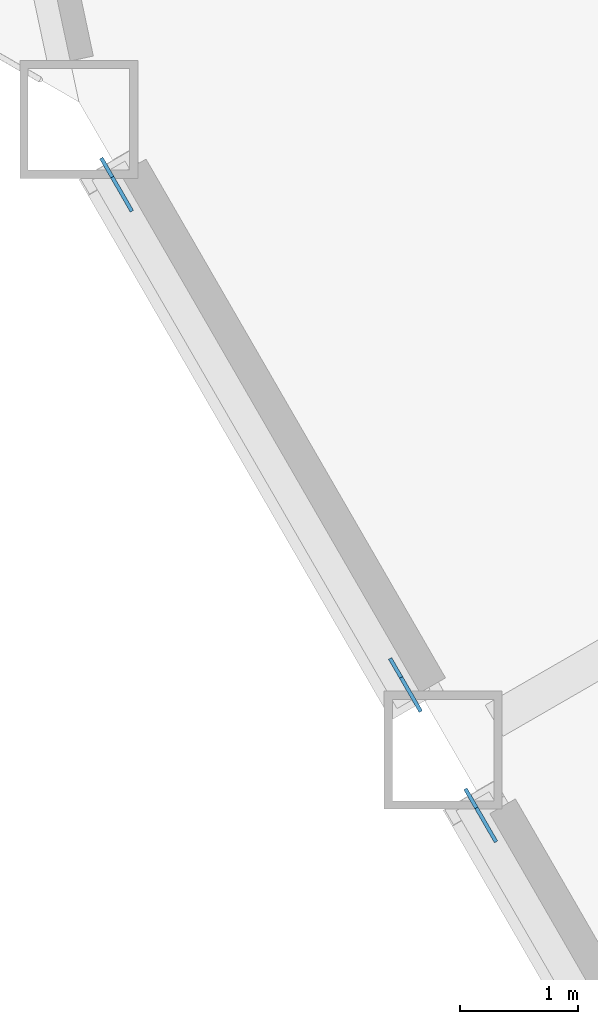
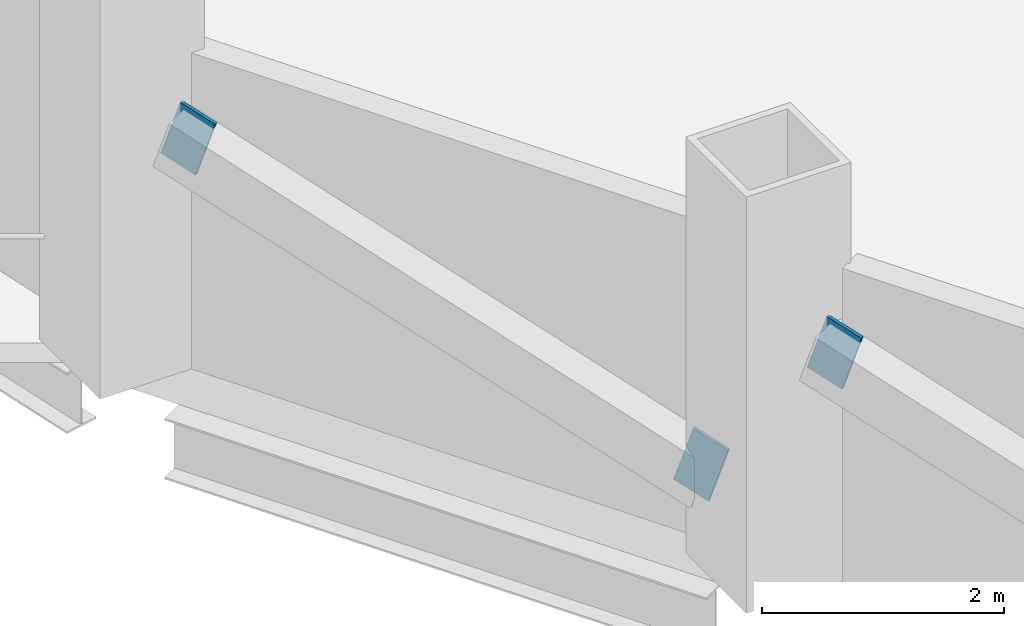
# One storey, part 14 of 21: 3 discrete accessories.
"""IFC4 building model written with IfcOpenShell, lengths in metres."""

from ifc_helpers import new_model, si_unit, direction, frame, origin, origin_2d, place, context, subcontext, project, spatial, rectangle, extrude, material, material_profile, profile_set, type_object, element, save


model = new_model("IFC4")

# Units and contexts
model_context = context("Model", 3, precision=1e-05, world=origin(), true_north=direction((0.0, 1.0)))
body_context = subcontext(model_context, "Body", "Model", "MODEL_VIEW")
ifc_project = project(units=[si_unit("LENGTHUNIT", "METRE"), si_unit("AREAUNIT", "SQUARE_METRE"), si_unit("VOLUMEUNIT", "CUBIC_METRE"), si_unit("PLANEANGLEUNIT", "RADIAN"), si_unit("MASSUNIT", "GRAM", prefix="KILO")], contexts=[model_context])

# Site, building, storey
site_placement = place(None, origin())
site = spatial("IfcSite", under=ifc_project, at=site_placement, CompositionType="ELEMENT")
building_placement = place(site_placement, origin())
building = spatial("IfcBuilding", under=site, at=building_placement, Name="Cormorant Prow Tower", CompositionType="ELEMENT")
storey_placement = place(building_placement, frame((0.0, 0.0, 76.199951171875)))
storey = spatial("IfcBuildingStorey", under=building, at=storey_placement, Name="L16", CompositionType="ELEMENT", Elevation=76.199951171875)

# Discrete accessories
ifc_material = material(Name="Structural steel ASTM A500 Gr C", Category="steel")
ifc_material_profile = material_profile(ifc_material, rectangle(XDim=0.031982421875, YDim=0.60791015625, at=origin_2d()), Name="Gusset plate 32x608")
ifc_profile_set = profile_set([ifc_material_profile], Name="Structural steel ASTM A500 Gr C")
discrete_accessory_type = type_object("IfcDiscreteAccessoryType", Name="Gusset plate 32x608", PredefinedType="BRACKET", material=ifc_profile_set)
discrete_accessory_1_placement = place(storey_placement, frame((-28.3173828125, -15.42041015625, 0.859375), z_axis=(0.476464602218, -0.823872174553, -0.306946449452), x_axis=(0.865660382551, 0.500631703033, 0.0)))
element("IfcDiscreteAccessory", 1, at=discrete_accessory_1_placement, inside=storey, type_object=discrete_accessory_type, Name="Gusset plate GP1 L16.WSW00.g0", PredefinedType="BRACKET", context=body_context, shape_type="SweptSolid", body=[
    extrude(rectangle(XDim=0.031982421875, YDim=0.60791015625, at=origin_2d()), origin(), (0.0, 0.0, 1.0), 0.349853515625),
])
discrete_accessory_2_placement = place(storey_placement, frame((-30.597900390625, -11.47021484375, 2.32958984375), z_axis=(-0.475651503409, 0.824369614413, 0.306871937683), x_axis=(-0.866161185697, -0.499764745047, 0.0)))
element("IfcDiscreteAccessory", 2, at=discrete_accessory_2_placement, inside=storey, type_object=discrete_accessory_type, Name="Gusset plate GP1 L16.WSW00.g1", PredefinedType="BRACKET", context=body_context, shape_type="SweptSolid", body=[
    extrude(rectangle(XDim=0.031982421875, YDim=0.60791015625, at=origin_2d()), origin(), (0.0, 0.0, 1.0), 0.35009765625),
])
discrete_accessory_3_placement = place(storey_placement, frame((-27.512939453125, -16.813232421875, 2.32958984375), z_axis=(-0.476464602218, 0.823872174553, 0.306946449452), x_axis=(-0.865660382551, -0.500631703033, 0.0)))
element("IfcDiscreteAccessory", 3, at=discrete_accessory_3_placement, inside=storey, type_object=discrete_accessory_type, Name="Gusset plate GP1 L16.WSW01.g1", PredefinedType="BRACKET", context=body_context, shape_type="SweptSolid", body=[
    extrude(rectangle(XDim=0.031982421875, YDim=0.60791015625, at=origin_2d()), origin(), (0.0, 0.0, 1.0), 0.349853515625),
])

save(model, "model.ifc")
